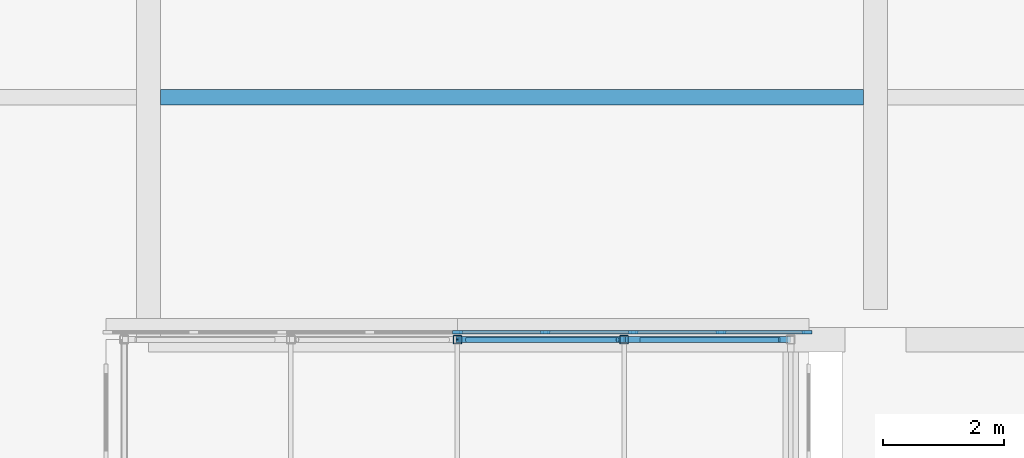
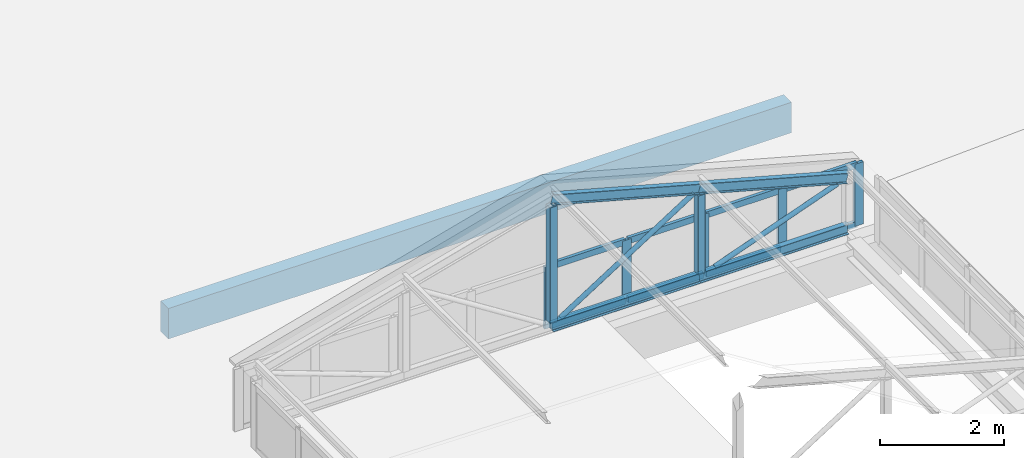
# One storey, part 62 of 94: 21 members, 1 beam, 1 element without a shape of its own.
"""IFC4 building model written with IfcOpenShell, lengths in metres."""

from ifc_helpers import new_model, si_unit, direction, frame, origin, origin_2d, place, context, subcontext, project, spatial, rectangle, hollow_rectangle, hollow_circle, i_section, extrude, material, layer, layer_set, material_profile, profile_set, type_object, element, aggregate, save


model = new_model("IFC4")

# Units and contexts
model_context = context("Model", 3, precision=1e-05, world=origin(), true_north=direction((0.0, 1.0)))
body_context = subcontext(model_context, "Body", "Model", "MODEL_VIEW")
ifc_project = project(units=[si_unit("LENGTHUNIT", "METRE"), si_unit("AREAUNIT", "SQUARE_METRE"), si_unit("VOLUMEUNIT", "CUBIC_METRE"), si_unit("PLANEANGLEUNIT", "RADIAN"), si_unit("MASSUNIT", "GRAM", prefix="KILO")], contexts=[model_context])

# Site, building, storey
site_placement = place(None, origin())
site = spatial("IfcSite", under=ifc_project, at=site_placement, CompositionType="ELEMENT")
building_placement = place(site_placement, origin())
building = spatial("IfcBuilding", under=site, at=building_placement, Name="Lilac Gate Convention Centre", CompositionType="ELEMENT")
storey_placement = place(building_placement, frame((0.0, 0.0, 21.0)))
storey = spatial("IfcBuildingStorey", under=building, at=storey_placement, Name="L04", CompositionType="ELEMENT", Elevation=21.0)

# Curtain wall, members
ifc_material_1 = material(Name="Aluminium framed double glazing", Category="aluminium")
ifc_layer = layer(ifc_material_1, 0.199951171875)
ifc_layer_set = layer_set([ifc_layer], Name="Aluminium framed double glazing")
curtain_wall_type = type_object("IfcCurtainWallType", Name="Unitised curtain wall 1500", PredefinedType="NOTDEFINED", material=ifc_layer_set)
curtain_wall_placement = place(storey_placement, origin())
curtain_wall = element("IfcCurtainWall", 1, at=curtain_wall_placement, inside=storey, type_object=curtain_wall_type, Name="Lantern end glazing N", PredefinedType="NOTDEFINED")
ifc_material_2 = material(Name="Aluminium alloy 6063", Category="aluminium")
ifc_material_profile_1 = material_profile(ifc_material_2, rectangle(XDim=0.06005859375, YDim=0.159912109375, at=origin_2d()), Name="Curtain wall mullion 60 x 160")
ifc_profile_set_1 = profile_set([ifc_material_profile_1], Name="Aluminium alloy 6063")
member_type_1 = type_object("IfcMemberType", Name="Curtain wall mullion 60 x 160", PredefinedType="MULLION", material=ifc_profile_set_1)
member_1_placement = place(storey_placement, frame((23.10009765625, 222.1201171875, 0.0), z_axis=(0.0, 0.0, 1.0), x_axis=(0.0, 1.0, 0.0)))
member_1 = element("IfcMember", 2, at=member_1_placement, type_object=member_type_1, Name="CW mullion 5", PredefinedType="MULLION", context=body_context, shape_type="SweptSolid", body=[
    extrude(rectangle(XDim=0.06005859375, YDim=0.159912109375, at=origin_2d()), origin(), (0.0, 0.0, 1.0), 1.22216796875),
])
member_2_placement = place(storey_placement, frame((24.550048828125, 222.1201171875, 0.0), z_axis=(0.0, 0.0, 1.0), x_axis=(0.0, 1.0, 0.0)))
member_2 = element("IfcMember", 3, at=member_2_placement, type_object=member_type_1, Name="CW mullion 6", PredefinedType="MULLION", context=body_context, shape_type="SweptSolid", body=[
    extrude(rectangle(XDim=0.06005859375, YDim=0.159912109375, at=origin_2d()), origin(), (0.0, 0.0, 1.0), 1.22216796875),
])
member_3_placement = place(storey_placement, frame((26.0, 222.1201171875, 0.0), z_axis=(0.0, 0.0, 1.0), x_axis=(0.0, 1.0, 0.0)))
member_3 = element("IfcMember", 4, at=member_3_placement, type_object=member_type_1, Name="CW mullion 7", PredefinedType="MULLION", context=body_context, shape_type="SweptSolid", body=[
    extrude(rectangle(XDim=0.06005859375, YDim=0.159912109375, at=origin_2d()), origin(), (0.0, 0.0, 1.0), 1.22216796875),
])
member_4_placement = place(storey_placement, frame((27.449951171875, 222.1201171875, 0.0), z_axis=(0.0, 0.0, 1.0), x_axis=(0.0, 1.0, 0.0)))
member_4 = element("IfcMember", 5, at=member_4_placement, type_object=member_type_1, Name="CW mullion 8", PredefinedType="MULLION", context=body_context, shape_type="SweptSolid", body=[
    extrude(rectangle(XDim=0.06005859375, YDim=0.159912109375, at=origin_2d()), origin(), (0.0, 0.0, 1.0), 1.22216796875),
])
member_5_placement = place(storey_placement, frame((28.869873046875, 222.1201171875, 0.0), z_axis=(0.0, 0.0, 1.0), x_axis=(0.0, 1.0, 0.0)))
member_5 = element("IfcMember", 6, at=member_5_placement, type_object=member_type_1, Name="CW mullion 9", PredefinedType="MULLION", context=body_context, shape_type="SweptSolid", body=[
    extrude(rectangle(XDim=0.06005859375, YDim=0.159912109375, at=origin_2d()), origin(), (0.0, 0.0, 1.0), 1.22216796875),
])
ifc_material_profile_2 = material_profile(ifc_material_2, rectangle(XDim=0.06005859375, YDim=0.1201171875, at=origin_2d()), Name="Curtain wall transom 60 x 120")
ifc_profile_set_2 = profile_set([ifc_material_profile_2], Name="Aluminium alloy 6063")
member_type_2 = type_object("IfcMemberType", Name="Curtain wall transom 60 x 120", PredefinedType="USERDEFINED", material=ifc_profile_set_2)
member_6_placement = place(storey_placement, frame((23.1298828125, 222.1201171875, 0.030029296875), z_axis=(1.0, 0.0, 0.0), x_axis=(0.0, 1.0, 0.0)))
member_6 = element("IfcMember", 7, at=member_6_placement, type_object=member_type_2, Name="CW transom 5.1", ObjectType="TRANSOM", PredefinedType="USERDEFINED", context=body_context, shape_type="SweptSolid", body=[
    extrude(rectangle(XDim=0.06005859375, YDim=0.1201171875, at=origin_2d()), origin(), (0.0, 0.0, 1.0), 1.39013671875),
])
member_7_placement = place(storey_placement, frame((23.1298828125, 222.1201171875, 1.192138671875), z_axis=(1.0, 0.0, 0.0), x_axis=(0.0, 1.0, 0.0)))
member_7 = element("IfcMember", 8, at=member_7_placement, type_object=member_type_2, Name="CW transom 5.2", ObjectType="TRANSOM", PredefinedType="USERDEFINED", context=body_context, shape_type="SweptSolid", body=[
    extrude(rectangle(XDim=0.06005859375, YDim=0.1201171875, at=origin_2d()), origin(), (0.0, 0.0, 1.0), 1.39013671875),
])
member_8_placement = place(storey_placement, frame((24.580078125, 222.1201171875, 0.030029296875), z_axis=(1.0, 0.0, 0.0), x_axis=(0.0, 1.0, 0.0)))
member_8 = element("IfcMember", 9, at=member_8_placement, type_object=member_type_2, Name="CW transom 6.1", ObjectType="TRANSOM", PredefinedType="USERDEFINED", context=body_context, shape_type="SweptSolid", body=[
    extrude(rectangle(XDim=0.06005859375, YDim=0.1201171875, at=origin_2d()), origin(), (0.0, 0.0, 1.0), 1.389892578125),
])
member_9_placement = place(storey_placement, frame((24.580078125, 222.1201171875, 1.192138671875), z_axis=(1.0, 0.0, 0.0), x_axis=(0.0, 1.0, 0.0)))
member_9 = element("IfcMember", 10, at=member_9_placement, type_object=member_type_2, Name="CW transom 6.2", ObjectType="TRANSOM", PredefinedType="USERDEFINED", context=body_context, shape_type="SweptSolid", body=[
    extrude(rectangle(XDim=0.06005859375, YDim=0.1201171875, at=origin_2d()), origin(), (0.0, 0.0, 1.0), 1.389892578125),
])
member_10_placement = place(storey_placement, frame((26.030029296875, 222.1201171875, 0.030029296875), z_axis=(1.0, 0.0, 0.0), x_axis=(0.0, 1.0, 0.0)))
member_10 = element("IfcMember", 11, at=member_10_placement, type_object=member_type_2, Name="CW transom 7.1", ObjectType="TRANSOM", PredefinedType="USERDEFINED", context=body_context, shape_type="SweptSolid", body=[
    extrude(rectangle(XDim=0.06005859375, YDim=0.1201171875, at=origin_2d()), origin(), (0.0, 0.0, 1.0), 1.389892578125),
])
member_11_placement = place(storey_placement, frame((26.030029296875, 222.1201171875, 1.192138671875), z_axis=(1.0, 0.0, 0.0), x_axis=(0.0, 1.0, 0.0)))
member_11 = element("IfcMember", 12, at=member_11_placement, type_object=member_type_2, Name="CW transom 7.2", ObjectType="TRANSOM", PredefinedType="USERDEFINED", context=body_context, shape_type="SweptSolid", body=[
    extrude(rectangle(XDim=0.06005859375, YDim=0.1201171875, at=origin_2d()), origin(), (0.0, 0.0, 1.0), 1.389892578125),
])
member_12_placement = place(storey_placement, frame((27.47998046875, 222.1201171875, 0.030029296875), z_axis=(1.0, 0.0, 0.0), x_axis=(0.0, 1.0, 0.0)))
member_12 = element("IfcMember", 13, at=member_12_placement, type_object=member_type_2, Name="CW transom 8.1", ObjectType="TRANSOM", PredefinedType="USERDEFINED", context=body_context, shape_type="SweptSolid", body=[
    extrude(rectangle(XDim=0.06005859375, YDim=0.1201171875, at=origin_2d()), origin(), (0.0, 0.0, 1.0), 1.35986328125),
])
member_13_placement = place(storey_placement, frame((27.47998046875, 222.1201171875, 1.192138671875), z_axis=(1.0, 0.0, 0.0), x_axis=(0.0, 1.0, 0.0)))
member_13 = element("IfcMember", 14, at=member_13_placement, type_object=member_type_2, Name="CW transom 8.2", ObjectType="TRANSOM", PredefinedType="USERDEFINED", context=body_context, shape_type="SweptSolid", body=[
    extrude(rectangle(XDim=0.06005859375, YDim=0.1201171875, at=origin_2d()), origin(), (0.0, 0.0, 1.0), 1.35986328125),
])
aggregate(curtain_wall, [member_1, member_2, member_3, member_4, member_5, member_6, member_7, member_8, member_9, member_10, member_11, member_12, member_13])

# Members
ifc_material_3 = material(Name="Steel Q355B", Category="steel")
ifc_material_profile_3 = material_profile(ifc_material_3, i_section(OverallWidth=0.10009765625, OverallDepth=0.199951171875, WebThickness=0.005615234375, FlangeThickness=0.008056640625, FilletRadius=0.008056640625, at=origin_2d()), Name="HN200x100x5.5x8")
ifc_profile_set_3 = profile_set([ifc_material_profile_3], Name="Steel Q355B")
member_type_3 = type_object("IfcMemberType", Name="Lantern bottom chord HN200x100x5.5x8", PredefinedType="CHORD", material=ifc_profile_set_3)
for number, where, z_axis, x_axis, name in (
    (15, (23.10009765625, 222.0, 0.10009765625), (1.0, 0.0, 0.0), (0.0, 1.0, 0.0), "LB1 lantern truss 33 bottom chord 3"),
    (16, (25.85009765625, 222.0, 0.10009765625), (1.0, 0.0, 0.0), (0.0, 1.0, 0.0), "LB1 lantern truss 33 bottom chord 4"),
):
    element("IfcMember", number, at=place(storey_placement, frame(where, z_axis=z_axis, x_axis=x_axis)), inside=storey, type_object=member_type_3, Name=name, PredefinedType="CHORD", context=body_context, shape_type="SweptSolid", body=[
        extrude(i_section(OverallWidth=0.10009765625, OverallDepth=0.199951171875, WebThickness=0.005615234375, FlangeThickness=0.008056640625, FilletRadius=0.008056640625, at=origin_2d()), origin(), (0.0, 0.0, 1.0), 2.75),
    ])
ifc_material_profile_4 = material_profile(ifc_material_3, hollow_circle(Radius=0.04443359375, WallThickness=0.0048828125, at=origin_2d()), Name="CHS88.9x5")
ifc_profile_set_4 = profile_set([ifc_material_profile_4], Name="Steel Q355B")
member_type_4 = type_object("IfcMemberType", Name="Lantern diagonal CHS88.9x5", PredefinedType="BRACE", material=ifc_profile_set_4)
member_14_placement = place(storey_placement, frame((25.74169921875, 222.0, 1.781005859375), z_axis=(-0.843671728148, 0.0, -0.536859399773), x_axis=(0.0, -1.0, 0.0)))
element("IfcMember", 17, at=member_14_placement, inside=storey, type_object=member_type_4, Name="LW1 lantern truss 33 diagonal 3", PredefinedType="BRACE", context=body_context, shape_type="SweptSolid", body=[
    extrude(hollow_circle(Radius=0.04443359375, WallThickness=0.0048828125, at=origin_2d()), origin(), (0.0, 0.0, 1.0), 2.945068359375),
])
member_15_placement = place(storey_placement, frame((28.410400390625, 222.0, 1.031005859375), z_axis=(-0.939793423488, 0.0, -0.341743063087), x_axis=(0.0, -1.0, 0.0)))
element("IfcMember", 18, at=member_15_placement, inside=storey, type_object=member_type_4, Name="LW1 lantern truss 33 diagonal 4", PredefinedType="BRACE", context=body_context, shape_type="SweptSolid", body=[
    extrude(hollow_circle(Radius=0.04443359375, WallThickness=0.0048828125, at=origin_2d()), origin(), (0.0, 0.0, 1.0), 2.431884765625),
])
ifc_material_profile_5 = material_profile(ifc_material_3, hollow_rectangle(XDim=0.139892578125, YDim=0.139892578125, WallThickness=0.0048828125, InnerFilletRadius=0.0048828125, OuterFilletRadius=0.010009765625, at=origin_2d()), Name="SHS140x140x5")
ifc_profile_set_5 = profile_set([ifc_material_profile_5], Name="Steel Q355B")
member_type_5 = type_object("IfcMemberType", Name="Lantern post SHS140x140x5", PredefinedType="STRUT", material=ifc_profile_set_5)
member_16_placement = place(storey_placement, frame((23.10009765625, 222.0, 0.199951171875), z_axis=(0.0, 0.0, 1.0), x_axis=(1.0, 0.0, 0.0)))
element("IfcMember", 19, at=member_16_placement, inside=storey, type_object=member_type_5, Name="LV1 lantern truss 33 post 3", PredefinedType="STRUT", context=body_context, shape_type="SweptSolid", body=[
    extrude(hollow_rectangle(XDim=0.139892578125, YDim=0.139892578125, WallThickness=0.0048828125, InnerFilletRadius=0.0048828125, OuterFilletRadius=0.010009765625, at=origin_2d()), origin(), (0.0, 0.0, 1.0), 2.277099609375),
])
member_17_placement = place(storey_placement, frame((25.85009765625, 222.0, 0.199951171875), z_axis=(0.0, 0.0, 1.0), x_axis=(1.0, 0.0, 0.0)))
element("IfcMember", 20, at=member_17_placement, inside=storey, type_object=member_type_5, Name="LV1 lantern truss 33 post 4", PredefinedType="STRUT", context=body_context, shape_type="SweptSolid", body=[
    extrude(hollow_rectangle(XDim=0.139892578125, YDim=0.139892578125, WallThickness=0.0048828125, InnerFilletRadius=0.0048828125, OuterFilletRadius=0.010009765625, at=origin_2d()), origin(), (0.0, 0.0, 1.0), 1.546142578125),
])
ifc_material_profile_6 = material_profile(ifc_material_3, i_section(OverallWidth=0.10009765625, OverallDepth=0.199951171875, WebThickness=0.005615234375, FlangeThickness=0.008056640625, FilletRadius=0.008056640625, at=origin_2d()), Name="HN200x100x5.5x8")
ifc_profile_set_6 = profile_set([ifc_material_profile_6], Name="Steel Q355B")
member_type_6 = type_object("IfcMemberType", Name="Lantern top chord HN200x100x5.5x8", PredefinedType="CHORD", material=ifc_profile_set_6)
for number, where, z_axis, x_axis, name in (
    (21, (23.10009765625, 222.0, 2.60009765625), (0.964763821238, 0.0, -0.263117405792), (0.0, 1.0, 0.0), "LT1 lantern truss 33 top chord 3"),
    (22, (25.85009765625, 222.0, 1.85009765625), (0.964763821238, 0.0, -0.263117405792), (0.0, 1.0, 0.0), "LT1 lantern truss 33 top chord 4"),
):
    element("IfcMember", number, at=place(storey_placement, frame(where, z_axis=z_axis, x_axis=x_axis)), inside=storey, type_object=member_type_6, Name=name, PredefinedType="CHORD", context=body_context, shape_type="SweptSolid", body=[
        extrude(i_section(OverallWidth=0.10009765625, OverallDepth=0.199951171875, WebThickness=0.005615234375, FlangeThickness=0.008056640625, FilletRadius=0.008056640625, at=origin_2d()), origin(), (0.0, 0.0, 1.0), 2.850341796875),
    ])

# Beam
ifc_material_4 = material(Name="Concrete C40", Category="concrete")
ifc_material_profile_7 = material_profile(ifc_material_4, rectangle(XDim=0.25, YDim=0.60009765625, at=origin_2d()), Name="RC 250x600")
ifc_profile_set_7 = profile_set([ifc_material_profile_7], Name="Concrete C40")
beam_type = type_object("IfcBeamType", Name="Tower secondary beam 250x600 C40", PredefinedType="BEAM", material=ifc_profile_set_7)
beam_placement = place(storey_placement, frame((18.199951171875, 226.0, -0.5), z_axis=(1.0, 0.0, 0.0), x_axis=(0.0, 1.0, 0.0)))
element("IfcBeam", 23, at=beam_placement, inside=storey, type_object=beam_type, Name="RB4 L04 bay 2/S", PredefinedType="BEAM", context=body_context, shape_type="SweptSolid", body=[
    extrude(rectangle(XDim=0.25, YDim=0.60009765625, at=origin_2d()), origin(), (0.0, 0.0, 1.0), 11.60009765625),
])

save(model, "model.ifc")
